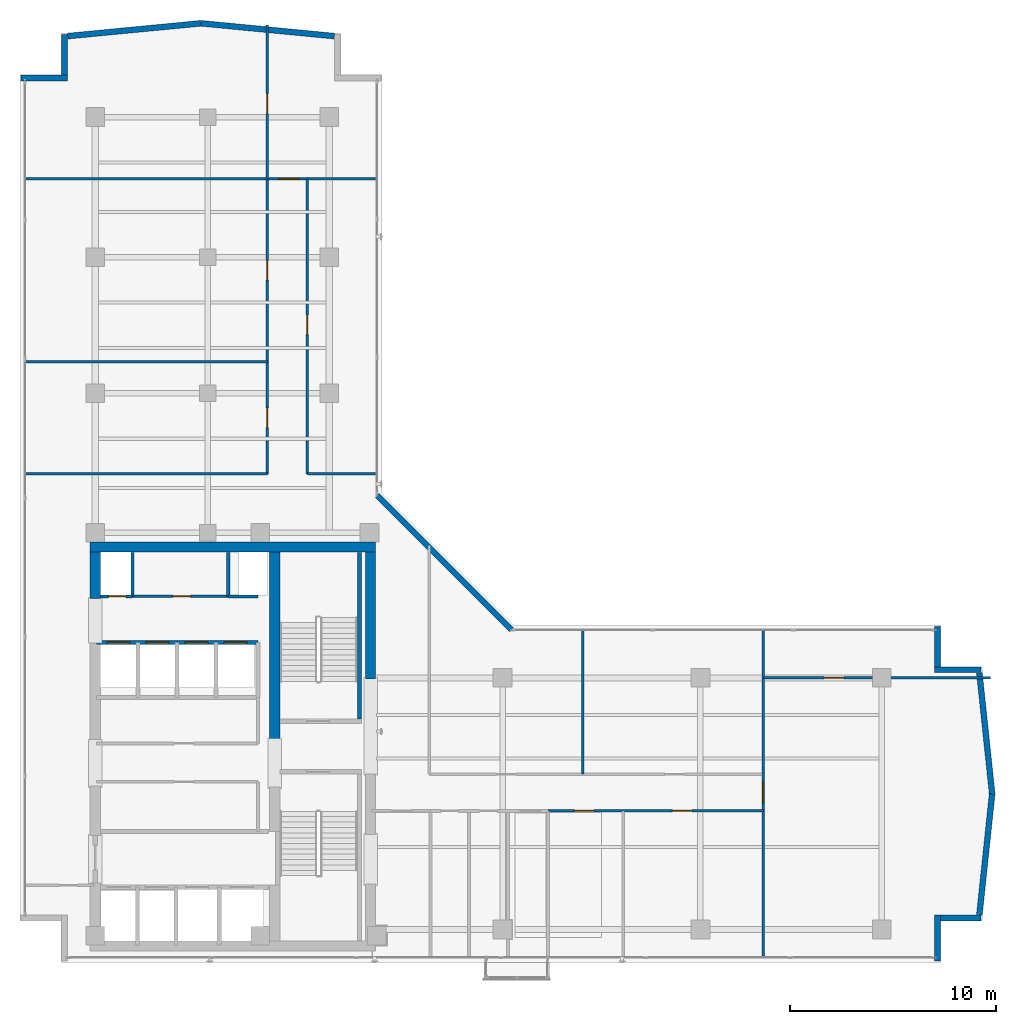
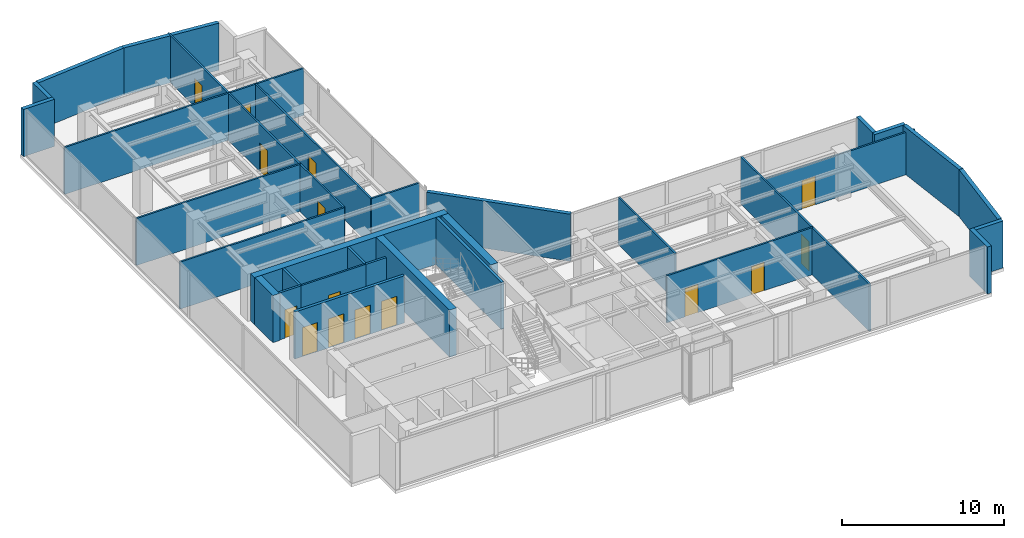
# One storey, part 18 of 22: 33 walls, 15 doors, 15 openings.
"""IFC4 building model written with IfcOpenShell, lengths in metres."""

from ifc_helpers import new_model, si_unit, direction, frame, frame_2d, origin, place, context, subcontext, project, spatial, rectangle, extrude, material, layer, layer_set, type_object, element, fill, save


model = new_model("IFC4")

# Units and contexts
model_context = context("Model", 3, precision=1e-05, world=origin(), true_north=direction((0.0, 1.0)))
body_context = subcontext(model_context, "Body", "Model", "MODEL_VIEW")
ifc_project = project(units=[si_unit("LENGTHUNIT", "METRE"), si_unit("AREAUNIT", "SQUARE_METRE"), si_unit("VOLUMEUNIT", "CUBIC_METRE"), si_unit("PLANEANGLEUNIT", "RADIAN"), si_unit("MASSUNIT", "GRAM", prefix="KILO")], contexts=[model_context])

# Site, building, storey
site_placement = place(None, origin())
site = spatial("IfcSite", under=ifc_project, at=site_placement, CompositionType="ELEMENT")
building_placement = place(site_placement, origin())
building = spatial("IfcBuilding", under=site, at=building_placement, Name="Kolvaren Waterfront Exchange", CompositionType="ELEMENT")
storey_placement = place(building_placement, frame((0.0, 0.0, 278.0)))
storey = spatial("IfcBuildingStorey", under=building, at=storey_placement, Name="L71", CompositionType="ELEMENT", Elevation=278.0)

# Walls
ifc_material_1 = material(Name="Precast concrete C40/50", Category="concrete")
ifc_layer_1 = layer(ifc_material_1, 0.280029296875, Name="Precast concrete C40/50")
ifc_layer_set_1 = layer_set([ifc_layer_1], Name="Precast concrete C40/50")
wall_type_1 = type_object("IfcWallType", Name="ARC-EXT-TERR-280", PredefinedType="SOLIDWALL", material=ifc_layer_set_1)
wall_1_placement = place(storey_placement, frame((48.29248046875, 3.659912109375, 0.0), z_axis=(0.0, 0.0, 1.0), x_axis=(0.0, 1.0, 0.0)))
element("IfcWall", 1, at=wall_1_placement, inside=storey, type_object=wall_type_1, Name="L71 notched corner spandrel pier SE-A", PredefinedType="SOLIDWALL", context=body_context, shape_type="SweptSolid", body=[
    extrude(rectangle(XDim=2.239990234375, YDim=0.280029296875, at=frame_2d((1.1201171875, 0.0))), origin(), (0.0, 0.0, 1.0), 3.56005859375),
])
wall_2_placement = place(storey_placement, frame((48.4326171875, 5.760009765625, 0.0), z_axis=(0.0, 0.0, 1.0), x_axis=(1.0, 0.0, 0.0)))
element("IfcWall", 2, at=wall_2_placement, inside=storey, type_object=wall_type_1, Name="L71 notched corner spandrel pier SE-B", PredefinedType="SOLIDWALL", context=body_context, shape_type="SweptSolid", body=[
    extrude(rectangle(XDim=1.9599609375, YDim=0.280029296875, at=frame_2d((0.97998046875, 0.0))), origin(), (0.0, 0.0, 1.0), 3.56005859375),
])
wall_3_placement = place(storey_placement, frame((48.29248046875, 17.9228515625, 0.0), z_axis=(0.0, 0.0, 1.0), x_axis=(0.0, 1.0, 0.0)))
element("IfcWall", 3, at=wall_3_placement, inside=storey, type_object=wall_type_1, Name="L71 notched corner spandrel pier ENE-A", PredefinedType="SOLIDWALL", context=body_context, shape_type="SweptSolid", body=[
    extrude(rectangle(XDim=1.97509765625, YDim=0.280029296875, at=frame_2d((0.987548828125, 0.0))), origin(), (0.0, 0.0, 1.0), 3.56005859375),
])
for number, where, z_axis, x_axis, name in (
    (4, (48.152587890625, 17.7978515625, 0.0), (0.0, 0.0, 1.0), (1.0, 0.0, 0.0), "L71 notched corner spandrel pier ENE-B"),
    (5, (3.860107421875, 46.49267578125, 0.0), (0.0, 0.0, 1.0), (1.0, 0.0, 0.0), "L71 notched corner spandrel pier NW-A"),
):
    element("IfcWall", number, at=place(storey_placement, frame(where, z_axis=z_axis, x_axis=x_axis)), inside=storey, type_object=wall_type_1, Name=name, PredefinedType="SOLIDWALL", context=body_context, shape_type="SweptSolid", body=[
        extrude(rectangle(XDim=2.239990234375, YDim=0.280029296875, at=frame_2d((1.1201171875, 0.0))), origin(), (0.0, 0.0, 1.0), 3.56005859375),
    ])
wall_4_placement = place(storey_placement, frame((5.9599609375, 46.632568359375, 0.0), z_axis=(0.0, 0.0, 1.0), x_axis=(0.0, 1.0, 0.0)))
element("IfcWall", 6, at=wall_4_placement, inside=storey, type_object=wall_type_1, Name="L71 notched corner spandrel pier NW-B", PredefinedType="SOLIDWALL", context=body_context, shape_type="SweptSolid", body=[
    extrude(rectangle(XDim=1.9599609375, YDim=0.280029296875, at=frame_2d((0.97998046875, 0.0))), origin(), (0.0, 0.0, 1.0), 3.56005859375),
])
wall_5_placement = place(storey_placement, frame((27.642822265625, 19.73291015625, 0.0), z_axis=(0.0, 0.0, 1.0), x_axis=(-0.707106781187, 0.707106781187, 0.0)))
element("IfcWall", 7, at=wall_5_placement, inside=storey, type_object=wall_type_1, Name="L71 notched corner spandrel pier ELBOW", PredefinedType="SOLIDWALL", context=body_context, shape_type="SweptSolid", body=[
    extrude(rectangle(XDim=9.20654296875, YDim=0.280029296875, at=frame_2d((4.603271484375, 0.0))), origin(), (0.0, 0.0, 1.0), 3.56005859375),
])
for number, where, z_axis, x_axis, name in (
    (8, (50.324951171875, 5.9150390625, 0.0), (0.0, 0.0, 1.0), (0.10505567949, 0.994466341415, 0.0), "L71 east prow faceted facade wall 1"),
    (9, (50.944091796875, 11.781982421875, 0.0), (0.0, 0.0, 1.0), (-0.10505567949, 0.994466341415, 0.0), "L71 east prow faceted facade wall 2"),
):
    element("IfcWall", number, at=place(storey_placement, frame(where, z_axis=z_axis, x_axis=x_axis)), inside=storey, type_object=wall_type_1, Name=name, PredefinedType="SOLIDWALL", context=body_context, shape_type="SweptSolid", body=[
        extrude(rectangle(XDim=5.8935546875, YDim=0.280029296875, at=frame_2d((2.94677734375, 0.0))), origin(), (0.0, 0.0, 1.0), 3.56005859375),
    ])
wall_6_placement = place(storey_placement, frame((19.0439453125, 48.522216796875, 0.0), z_axis=(0.0, 0.0, 1.0), x_axis=(-0.99539978927, 0.095808452244, 0.0)))
element("IfcWall", 10, at=wall_6_placement, inside=storey, type_object=wall_type_1, Name="L71 north prow faceted facade wall 1", PredefinedType="SOLIDWALL", context=body_context, shape_type="SweptSolid", body=[
    extrude(rectangle(XDim=6.490234375, YDim=0.280029296875, at=frame_2d((3.2451171875, 0.0))), origin(), (0.0, 0.0, 1.0), 3.56005859375),
])
wall_7_placement = place(storey_placement, frame((12.57421875, 49.14404296875, 0.0), z_axis=(0.0, 0.0, 1.0), x_axis=(-0.995399443962, -0.095812039748, 0.0)))
element("IfcWall", 11, at=wall_7_placement, inside=storey, type_object=wall_type_1, Name="L71 north prow faceted facade wall 2", PredefinedType="SOLIDWALL", context=body_context, shape_type="SweptSolid", body=[
    extrude(rectangle(XDim=6.489990234375, YDim=0.280029296875, at=frame_2d((3.2451171875, 0.0))), origin(), (0.0, 0.0, 1.0), 3.56005859375),
])

# Wall, opening, door
ifc_material_2 = material(Name="Acoustic gypsum steel stud", Category="steel")
ifc_layer_2 = layer(ifc_material_2, 0.125, Name="Acoustic gypsum steel stud")
ifc_layer_set_2 = layer_set([ifc_layer_2], Name="Acoustic gypsum steel stud")
wall_type_2 = type_object("IfcWallType", Name="ARC-PART-125", PredefinedType="PARTITIONING", material=ifc_layer_set_2)
wall_8_placement = place(storey_placement, frame((9.25, 21.35009765625, 0.0), z_axis=(0.0, 0.0, 1.0), x_axis=(1.0, 0.0, 0.0)))
wall_8 = element("IfcWall", 12, at=wall_8_placement, inside=storey, type_object=wall_type_2, Name="L71 interior wall PW-L71-SVC-HI-S", PredefinedType="PARTITIONING", context=body_context, shape_type="SweptSolid", body=[
    extrude(rectangle(XDim=4.64990234375, YDim=0.125, at=frame_2d((2.324951171875, 0.0))), origin(), (0.0, 0.0, 1.0), 3.56005859375),
])
opening_1_placement = place(wall_8_placement, frame((1.971435546875, 0.0, 0.0)))
opening_1 = element("IfcOpeningElement", 13, at=opening_1_placement, cuts=wall_8, Name="Opening D01", PredefinedType="OPENING", context=body_context, shape_type="SweptSolid", body=[
    extrude(rectangle(XDim=0.85009765625, YDim=2.14990234375, at=frame_2d((0.425048828125, 1.074951171875))), frame((0.0, 0.072509765625, 0.0), z_axis=(0.0, -1.0, 0.0), x_axis=(1.0, 0.0, 0.0)), (0.0, 0.0, 1.0), 0.14501953125),
])
ifc_material_3 = material(Name="Oak veneer timber leaf", Category="wood")
door_type_1 = type_object("IfcDoorType", Name="ARC-DR-900", OperationType="NOTDEFINED", PredefinedType="DOOR", material=ifc_material_3)
door_1_placement = place(opening_1_placement, origin())
door_1 = element("IfcDoor", 14, at=door_1_placement, inside=storey, type_object=door_type_1, Name="L71 door DR-L71-SVC-DR-1 (D01)", OperationType="SINGLE_SWING_LEFT", OverallHeight=2.14990234375, OverallWidth=0.85009765625, PredefinedType="DOOR", context=body_context, shape_type="SweptSolid", body=[
    extrude(rectangle(XDim=0.85009765625, YDim=2.14990234375, at=frame_2d((0.425048828125, 1.074951171875))), frame((0.0, 0.02490234375, 0.0), z_axis=(0.0, -1.0, 0.0), x_axis=(1.0, 0.0, 0.0)), (0.0, 0.0, 1.0), 0.050048828125),
])
fill(opening_1, door_1)

# Wall, openings, doors
wall_9_placement = place(storey_placement, frame((29.39990234375, 10.949951171875, 0.0), z_axis=(0.0, 0.0, 1.0), x_axis=(1.0, 0.0, 0.0)))
wall_9 = element("IfcWall", 15, at=wall_9_placement, inside=storey, type_object=wall_type_2, Name="L71 interior wall PW-L71-ES-CORR", PredefinedType="PARTITIONING", context=body_context, shape_type="SweptSolid", body=[
    extrude(rectangle(XDim=10.4501953125, YDim=0.125, at=frame_2d((5.22509765625, 0.0))), origin(), (0.0, 0.0, 1.0), 3.56005859375),
])
opening_2_placement = place(wall_9_placement, frame((1.281494140625, 0.0, 0.0)))
opening_2 = element("IfcOpeningElement", 16, at=opening_2_placement, cuts=wall_9, Name="Opening D02", PredefinedType="OPENING", context=body_context, shape_type="SweptSolid", body=[
    extrude(rectangle(XDim=0.949951171875, YDim=2.14990234375, at=frame_2d((0.47509765625, 1.074951171875))), frame((0.0, 0.072509765625, 0.0), z_axis=(0.0, -1.0, 0.0), x_axis=(1.0, 0.0, 0.0)), (0.0, 0.0, 1.0), 0.14501953125),
])
opening_3_placement = place(wall_9_placement, frame((6.034423828125, 0.0, 0.0)))
opening_3 = element("IfcOpeningElement", 17, at=opening_3_placement, cuts=wall_9, Name="Opening D02", PredefinedType="OPENING", context=body_context, shape_type="SweptSolid", body=[
    extrude(rectangle(XDim=0.949951171875, YDim=2.14990234375, at=frame_2d((0.47509765625, 1.074951171875))), frame((0.0, 0.072509765625, 0.0), z_axis=(0.0, -1.0, 0.0), x_axis=(1.0, 0.0, 0.0)), (0.0, 0.0, 1.0), 0.14501953125),
])
ifc_material_4 = material(Name="Oak veneer acoustic timber", Category="wood")
door_type_2 = type_object("IfcDoorType", Name="ARC-DR-950", OperationType="NOTDEFINED", PredefinedType="DOOR", material=ifc_material_4)
door_2_placement = place(opening_2_placement, origin())
door_2 = element("IfcDoor", 18, at=door_2_placement, inside=storey, type_object=door_type_2, Name="L71 door DR-L71-ES-D-1 (D02)", OperationType="SINGLE_SWING_LEFT", OverallHeight=2.14990234375, OverallWidth=0.949951171875, PredefinedType="DOOR", context=body_context, shape_type="SweptSolid", body=[
    extrude(rectangle(XDim=0.949951171875, YDim=2.14990234375, at=frame_2d((0.47509765625, 1.074951171875))), frame((0.0, 0.02490234375, 0.0), z_axis=(0.0, -1.0, 0.0), x_axis=(1.0, 0.0, 0.0)), (0.0, 0.0, 1.0), 0.050048828125),
])
fill(opening_2, door_2)
door_3_placement = place(opening_3_placement, origin())
door_3 = element("IfcDoor", 19, at=door_3_placement, inside=storey, type_object=door_type_2, Name="L71 door DR-L71-ES-D-2 (D02)", OperationType="SINGLE_SWING_RIGHT", OverallHeight=2.14990234375, OverallWidth=0.949951171875, PredefinedType="DOOR", context=body_context, shape_type="SweptSolid", body=[
    extrude(rectangle(XDim=0.949951171875, YDim=2.14990234375, at=frame_2d((0.47509765625, 1.074951171875))), frame((0.0, 0.02490234375, 0.0), z_axis=(0.0, -1.0, 0.0), x_axis=(1.0, 0.0, 0.0)), (0.0, 0.0, 1.0), 0.050048828125),
])
fill(opening_3, door_3)

# Wall, opening, door
wall_10_placement = place(storey_placement, frame((39.85009765625, 3.840087890625, 0.0), z_axis=(0.0, 0.0, 1.0), x_axis=(0.0, 1.0, 0.0)))
wall_10 = element("IfcWall", 20, at=wall_10_placement, inside=storey, type_object=wall_type_2, Name="L71 interior wall PW-L71-ETIP-W", PredefinedType="PARTITIONING", context=body_context, shape_type="SweptSolid", body=[
    extrude(rectangle(XDim=15.919921875, YDim=0.125, at=frame_2d((7.9599609375, 0.0))), origin(), (0.0, 0.0, 1.0), 3.56005859375),
])
opening_4_placement = place(wall_10_placement, frame((7.5, 0.0, 0.0)))
opening_4 = element("IfcOpeningElement", 21, at=opening_4_placement, cuts=wall_10, Name="Opening D03", PredefinedType="OPENING", context=body_context, shape_type="SweptSolid", body=[
    extrude(rectangle(XDim=1.0, YDim=2.199951171875, at=frame_2d((0.5, 1.10009765625))), frame((0.0, 0.072509765625, 0.0), z_axis=(0.0, -1.0, 0.0), x_axis=(1.0, 0.0, 0.0)), (0.0, 0.0, 1.0), 0.14501953125),
])
ifc_material_5 = material(Name="Oak veneer accessible timber", Category="wood")
door_type_3 = type_object("IfcDoorType", Name="ARC-DR-1000", OperationType="NOTDEFINED", PredefinedType="DOOR", material=ifc_material_5)
door_4_placement = place(opening_4_placement, origin())
door_4 = element("IfcDoor", 22, at=door_4_placement, inside=storey, type_object=door_type_3, Name="L71 door DR-L71-ETIP1-D (D03)", OperationType="SINGLE_SWING_LEFT", OverallHeight=2.199951171875, OverallWidth=1.0, PredefinedType="DOOR", context=body_context, shape_type="SweptSolid", body=[
    extrude(rectangle(XDim=1.0, YDim=2.199951171875, at=frame_2d((0.5, 1.10009765625))), frame((0.0, 0.02490234375, 0.0), z_axis=(0.0, -1.0, 0.0), x_axis=(1.0, 0.0, 0.0)), (0.0, 0.0, 1.0), 0.050048828125),
])
fill(opening_4, door_4)

wall_11_placement = place(storey_placement, frame((39.85009765625, 17.39990234375, 0.0), z_axis=(0.0, 0.0, 1.0), x_axis=(1.0, 0.0, 0.0)))
wall_11 = element("IfcWall", 23, at=wall_11_placement, inside=storey, type_object=wall_type_2, Name="L71 interior wall PW-L71-ETIP-MID", PredefinedType="PARTITIONING", context=body_context, shape_type="SweptSolid", body=[
    extrude(rectangle(XDim=11.01513671875, YDim=0.125, at=frame_2d((5.507568359375, 0.0))), origin(), (0.0, 0.0, 1.0), 3.199951171875),
])
opening_5_placement = place(wall_11_placement, frame((2.949951171875, 0.0, 0.0)))
opening_5 = element("IfcOpeningElement", 24, at=opening_5_placement, cuts=wall_11, Name="Opening D02", PredefinedType="OPENING", context=body_context, shape_type="SweptSolid", body=[
    extrude(rectangle(XDim=0.949951171875, YDim=2.14990234375, at=frame_2d((0.47509765625, 1.074951171875))), frame((0.0, 0.072509765625, 0.0), z_axis=(0.0, -1.0, 0.0), x_axis=(1.0, 0.0, 0.0)), (0.0, 0.0, 1.0), 0.14501953125),
])
door_5_placement = place(opening_5_placement, origin())
door_5 = element("IfcDoor", 25, at=door_5_placement, inside=storey, type_object=door_type_2, Name="L71 door DR-L71-ETIP2-D (D02)", OperationType="SINGLE_SWING_RIGHT", OverallHeight=2.14990234375, OverallWidth=0.949951171875, PredefinedType="DOOR", context=body_context, shape_type="SweptSolid", body=[
    extrude(rectangle(XDim=0.949951171875, YDim=2.14990234375, at=frame_2d((0.47509765625, 1.074951171875))), frame((0.0, 0.02490234375, 0.0), z_axis=(0.0, -1.0, 0.0), x_axis=(1.0, 0.0, 0.0)), (0.0, 0.0, 1.0), 0.050048828125),
])
fill(opening_5, door_5)

# Walls
wall_12_placement = place(storey_placement, frame((31.10009765625, 12.72998046875, 0.0), z_axis=(0.0, 0.0, 1.0), x_axis=(0.0, 1.0, 0.0)))
element("IfcWall", 26, at=wall_12_placement, inside=storey, type_object=wall_type_2, Name="L71 interior wall PW-L71-EN-DIV-1", PredefinedType="PARTITIONING", context=body_context, shape_type="SweptSolid", body=[
    extrude(rectangle(XDim=7.030029296875, YDim=0.125, at=frame_2d((3.51513671875, 0.0))), origin(), (0.0, 0.0, 1.0), 3.56005859375),
])
wall_13_placement = place(storey_placement, frame((4.0400390625, 27.300048828125, 0.0), z_axis=(0.0, 0.0, 1.0), x_axis=(1.0, 0.0, 0.0)))
element("IfcWall", 27, at=wall_13_placement, inside=storey, type_object=wall_type_2, Name="L71 interior wall PW-L71-NW-S0", PredefinedType="PARTITIONING", context=body_context, shape_type="SweptSolid", body=[
    extrude(rectangle(XDim=11.760009765625, YDim=0.125, at=frame_2d((5.8798828125, 0.0))), origin(), (0.0, 0.0, 1.0), 3.56005859375),
])

# Wall, openings, doors
wall_14_placement = place(storey_placement, frame((15.800048828125, 27.300048828125, 0.0), z_axis=(0.0, 0.0, 1.0), x_axis=(0.0, 1.0, 0.0)))
wall_14 = element("IfcWall", 28, at=wall_14_placement, inside=storey, type_object=wall_type_2, Name="L71 interior wall PW-L71-NW-CORR", PredefinedType="PARTITIONING", context=body_context, shape_type="SweptSolid", body=[
    extrude(rectangle(XDim=14.300048828125, YDim=0.125, at=frame_2d((7.14990234375, 0.0))), origin(), (0.0, 0.0, 1.0), 3.56005859375),
])
opening_6_placement = place(wall_14_placement, frame((2.239990234375, 0.0, 0.0)))
opening_6 = element("IfcOpeningElement", 29, at=opening_6_placement, cuts=wall_14, Name="Opening D02", PredefinedType="OPENING", context=body_context, shape_type="SweptSolid", body=[
    extrude(rectangle(XDim=0.949951171875, YDim=2.14990234375, at=frame_2d((0.47509765625, 1.074951171875))), frame((0.0, 0.072509765625, 0.0), z_axis=(0.0, -1.0, 0.0), x_axis=(1.0, 0.0, 0.0)), (0.0, 0.0, 1.0), 0.14501953125),
])
opening_7_placement = place(wall_14_placement, frame((9.389892578125, 0.0, 0.0)))
opening_7 = element("IfcOpeningElement", 30, at=opening_7_placement, cuts=wall_14, Name="Opening D02", PredefinedType="OPENING", context=body_context, shape_type="SweptSolid", body=[
    extrude(rectangle(XDim=0.949951171875, YDim=2.14990234375, at=frame_2d((0.47509765625, 1.074951171875))), frame((0.0, 0.072509765625, 0.0), z_axis=(0.0, -1.0, 0.0), x_axis=(1.0, 0.0, 0.0)), (0.0, 0.0, 1.0), 0.14501953125),
])
door_6_placement = place(opening_6_placement, origin())
door_6 = element("IfcDoor", 31, at=door_6_placement, inside=storey, type_object=door_type_2, Name="L71 door DR-L71-NW-D-1 (D02)", OperationType="SINGLE_SWING_LEFT", OverallHeight=2.14990234375, OverallWidth=0.949951171875, PredefinedType="DOOR", context=body_context, shape_type="SweptSolid", body=[
    extrude(rectangle(XDim=0.949951171875, YDim=2.14990234375, at=frame_2d((0.47509765625, 1.074951171875))), frame((0.0, 0.02490234375, 0.0), z_axis=(0.0, -1.0, 0.0), x_axis=(1.0, 0.0, 0.0)), (0.0, 0.0, 1.0), 0.050048828125),
])
fill(opening_6, door_6)
door_7_placement = place(opening_7_placement, origin())
door_7 = element("IfcDoor", 32, at=door_7_placement, inside=storey, type_object=door_type_2, Name="L71 door DR-L71-NW-D-2 (D02)", OperationType="SINGLE_SWING_RIGHT", OverallHeight=2.14990234375, OverallWidth=0.949951171875, PredefinedType="DOOR", context=body_context, shape_type="SweptSolid", body=[
    extrude(rectangle(XDim=0.949951171875, YDim=2.14990234375, at=frame_2d((0.47509765625, 1.074951171875))), frame((0.0, 0.02490234375, 0.0), z_axis=(0.0, -1.0, 0.0), x_axis=(1.0, 0.0, 0.0)), (0.0, 0.0, 1.0), 0.050048828125),
])
fill(opening_7, door_7)

# Wall
wall_15_placement = place(storey_placement, frame((4.0400390625, 32.72998046875, 0.0), z_axis=(0.0, 0.0, 1.0), x_axis=(1.0, 0.0, 0.0)))
element("IfcWall", 33, at=wall_15_placement, inside=storey, type_object=wall_type_2, Name="L71 interior wall PW-L71-NW-DIV-1", PredefinedType="PARTITIONING", context=body_context, shape_type="SweptSolid", body=[
    extrude(rectangle(XDim=11.760009765625, YDim=0.125, at=frame_2d((5.8798828125, 0.0))), origin(), (0.0, 0.0, 1.0), 3.56005859375),
])

# Wall, opening, door
wall_16_placement = place(storey_placement, frame((4.0400390625, 41.60009765625, 0.0), z_axis=(0.0, 0.0, 1.0), x_axis=(1.0, 0.0, 0.0)))
wall_16 = element("IfcWall", 34, at=wall_16_placement, inside=storey, type_object=wall_type_2, Name="L71 interior wall PW-L71-NTIP-S", PredefinedType="PARTITIONING", context=body_context, shape_type="SweptSolid", body=[
    extrude(rectangle(XDim=17.119873046875, YDim=0.125, at=frame_2d((8.56005859375, 0.0))), origin(), (0.0, 0.0, 1.0), 3.56005859375),
])
opening_8_placement = place(wall_16_placement, frame((12.300048828125, 0.0, 0.0)))
opening_8 = element("IfcOpeningElement", 35, at=opening_8_placement, cuts=wall_16, Name="Opening D03", PredefinedType="OPENING", context=body_context, shape_type="SweptSolid", body=[
    extrude(rectangle(XDim=1.0, YDim=2.199951171875, at=frame_2d((0.5, 1.10009765625))), frame((0.0, 0.072509765625, 0.0), z_axis=(0.0, -1.0, 0.0), x_axis=(1.0, 0.0, 0.0)), (0.0, 0.0, 1.0), 0.14501953125),
])
door_8_placement = place(opening_8_placement, origin())
door_8 = element("IfcDoor", 36, at=door_8_placement, inside=storey, type_object=door_type_3, Name="L71 door DR-L71-NTIPE-D (D03)", OperationType="SINGLE_SWING_LEFT", OverallHeight=2.199951171875, OverallWidth=1.0, PredefinedType="DOOR", context=body_context, shape_type="SweptSolid", body=[
    extrude(rectangle(XDim=1.0, YDim=2.199951171875, at=frame_2d((0.5, 1.10009765625))), frame((0.0, 0.02490234375, 0.0), z_axis=(0.0, -1.0, 0.0), x_axis=(1.0, 0.0, 0.0)), (0.0, 0.0, 1.0), 0.050048828125),
])
fill(opening_8, door_8)

wall_17_placement = place(storey_placement, frame((15.800048828125, 41.60009765625, 0.0), z_axis=(0.0, 0.0, 1.0), x_axis=(0.0, 1.0, 0.0)))
wall_17 = element("IfcWall", 37, at=wall_17_placement, inside=storey, type_object=wall_type_2, Name="L71 interior wall PW-L71-NTIP-DIV", PredefinedType="PARTITIONING", context=body_context, shape_type="SweptSolid", body=[
    extrude(rectangle(XDim=7.465087890625, YDim=0.125, at=frame_2d((3.732421875, 0.0))), origin(), (0.0, 0.0, 1.0), 3.56005859375),
])
opening_9_placement = place(wall_17_placement, frame((3.182373046875, 0.0, 0.0)))
opening_9 = element("IfcOpeningElement", 38, at=opening_9_placement, cuts=wall_17, Name="Opening D02", PredefinedType="OPENING", context=body_context, shape_type="SweptSolid", body=[
    extrude(rectangle(XDim=0.949951171875, YDim=2.14990234375, at=frame_2d((0.47509765625, 1.074951171875))), frame((0.0, 0.072509765625, 0.0), z_axis=(0.0, -1.0, 0.0), x_axis=(1.0, 0.0, 0.0)), (0.0, 0.0, 1.0), 0.14501953125),
])
door_9_placement = place(opening_9_placement, origin())
door_9 = element("IfcDoor", 39, at=door_9_placement, inside=storey, type_object=door_type_2, Name="L71 door DR-L71-NTIPW-D (D02)", OperationType="SINGLE_SWING_RIGHT", OverallHeight=2.14990234375, OverallWidth=0.949951171875, PredefinedType="DOOR", context=body_context, shape_type="SweptSolid", body=[
    extrude(rectangle(XDim=0.949951171875, YDim=2.14990234375, at=frame_2d((0.47509765625, 1.074951171875))), frame((0.0, 0.02490234375, 0.0), z_axis=(0.0, -1.0, 0.0), x_axis=(1.0, 0.0, 0.0)), (0.0, 0.0, 1.0), 0.050048828125),
])
fill(opening_9, door_9)

# Wall
wall_18_placement = place(storey_placement, frame((17.739990234375, 27.300048828125, 0.0), z_axis=(0.0, 0.0, 1.0), x_axis=(1.0, 0.0, 0.0)))
element("IfcWall", 40, at=wall_18_placement, inside=storey, type_object=wall_type_2, Name="L71 interior wall PW-L71-NE-S0", PredefinedType="PARTITIONING", context=body_context, shape_type="SweptSolid", body=[
    extrude(rectangle(XDim=3.419921875, YDim=0.125, at=frame_2d((1.7099609375, 0.0))), origin(), (0.0, 0.0, 1.0), 3.56005859375),
])

# Wall, opening, door
wall_19_placement = place(storey_placement, frame((17.739990234375, 27.300048828125, 0.0), z_axis=(0.0, 0.0, 1.0), x_axis=(0.0, 1.0, 0.0)))
wall_19 = element("IfcWall", 41, at=wall_19_placement, inside=storey, type_object=wall_type_2, Name="L71 interior wall PW-L71-NE-CORR", PredefinedType="PARTITIONING", context=body_context, shape_type="SweptSolid", body=[
    extrude(rectangle(XDim=14.300048828125, YDim=0.125, at=frame_2d((7.14990234375, 0.0))), origin(), (0.0, 0.0, 1.0), 3.56005859375),
])
opening_10_placement = place(wall_19_placement, frame((6.74560546875, 0.0, 0.0)))
opening_10 = element("IfcOpeningElement", 42, at=opening_10_placement, cuts=wall_19, Name="Opening D02", PredefinedType="OPENING", context=body_context, shape_type="SweptSolid", body=[
    extrude(rectangle(XDim=0.949951171875, YDim=2.14990234375, at=frame_2d((0.47509765625, 1.074951171875))), frame((0.0, 0.072509765625, 0.0), z_axis=(0.0, -1.0, 0.0), x_axis=(1.0, 0.0, 0.0)), (0.0, 0.0, 1.0), 0.14501953125),
])
door_10_placement = place(opening_10_placement, origin())
door_10 = element("IfcDoor", 43, at=door_10_placement, inside=storey, type_object=door_type_2, Name="L71 door DR-L71-NE-D-1 (D02)", OperationType="SINGLE_SWING_LEFT", OverallHeight=2.14990234375, OverallWidth=0.949951171875, PredefinedType="DOOR", context=body_context, shape_type="SweptSolid", body=[
    extrude(rectangle(XDim=0.949951171875, YDim=2.14990234375, at=frame_2d((0.47509765625, 1.074951171875))), frame((0.0, 0.02490234375, 0.0), z_axis=(0.0, -1.0, 0.0), x_axis=(1.0, 0.0, 0.0)), (0.0, 0.0, 1.0), 0.050048828125),
])
fill(opening_10, door_10)

# Walls
ifc_material_6 = material(Name="Gypsum fireboard steel stud", Category="steel")
ifc_layer_3 = layer(ifc_material_6, 0.14990234375, Name="Gypsum fireboard steel stud")
ifc_layer_set_3 = layer_set([ifc_layer_3], Name="Gypsum fireboard steel stud")
wall_type_3 = type_object("IfcWallType", Name="ARC-PART-150", PredefinedType="PARTITIONING", material=ifc_layer_set_3)
for number, where, z_axis, x_axis, name in (
    (44, (9.25, 21.35009765625, 0.0), (0.0, 0.0, 1.0), (0.0, 1.0, 0.0), "L71 interior wall PW-L71-SVC-R1"),
    (45, (13.89990234375, 21.35009765625, 0.0), (0.0, 0.0, 1.0), (0.0, 1.0, 0.0), "L71 interior wall PW-L71-SVC-R2"),
):
    element("IfcWall", number, at=place(storey_placement, frame(where, z_axis=z_axis, x_axis=x_axis)), inside=storey, type_object=wall_type_3, Name=name, PredefinedType="PARTITIONING", context=body_context, shape_type="SweptSolid", body=[
        extrude(rectangle(XDim=2.1298828125, YDim=0.14990234375, at=frame_2d((1.06494140625, 0.0))), origin(), (0.0, 0.0, 1.0), 3.56005859375),
    ])

# Wall, opening, door
wall_20_placement = place(storey_placement, frame((7.699951171875, 21.35009765625, 0.0), z_axis=(0.0, 0.0, 1.0), x_axis=(1.0, 0.0, 0.0)))
wall_20 = element("IfcWall", 46, at=wall_20_placement, inside=storey, type_object=wall_type_3, Name="L71 interior wall PW-L71-SVC-RE-S", PredefinedType="PARTITIONING", context=body_context, shape_type="SweptSolid", body=[
    extrude(rectangle(XDim=1.550048828125, YDim=0.14990234375, at=frame_2d((0.77490234375, 0.0))), origin(), (0.0, 0.0, 1.0), 3.56005859375),
])
opening_11_placement = place(wall_20_placement, frame((0.389892578125, 0.0, 0.0)))
opening_11 = element("IfcOpeningElement", 47, at=opening_11_placement, cuts=wall_20, Name="Opening FD1", PredefinedType="OPENING", context=body_context, shape_type="SweptSolid", body=[
    extrude(rectangle(XDim=0.85009765625, YDim=2.14990234375, at=frame_2d((0.425048828125, 1.074951171875))), frame((0.0, 0.0849609375, 0.0), z_axis=(0.0, -1.0, 0.0), x_axis=(1.0, 0.0, 0.0)), (0.0, 0.0, 1.0), 0.169921875),
])
ifc_material_7 = material(Name="Pressed steel fire leaf", Category="steel")
door_type_4 = type_object("IfcDoorType", Name="ARC-FD-900", OperationType="NOTDEFINED", PredefinedType="DOOR", material=ifc_material_7)
door_11_placement = place(opening_11_placement, origin())
door_11 = element("IfcDoor", 48, at=door_11_placement, inside=storey, type_object=door_type_4, Name="L71 door DR-L71-RISER-E-DR (FD1)", OperationType="SINGLE_SWING_RIGHT", OverallHeight=2.14990234375, OverallWidth=0.85009765625, PredefinedType="DOOR", context=body_context, shape_type="SweptSolid", body=[
    extrude(rectangle(XDim=0.85009765625, YDim=2.14990234375, at=frame_2d((0.425048828125, 1.074951171875))), frame((0.0, 0.02490234375, 0.0), z_axis=(0.0, -1.0, 0.0), x_axis=(1.0, 0.0, 0.0)), (0.0, 0.0, 1.0), 0.050048828125),
])
fill(opening_11, door_11)

# Walls
wall_21_placement = place(storey_placement, frame((13.89990234375, 21.35009765625, 0.0), z_axis=(0.0, 0.0, 1.0), x_axis=(1.0, 0.0, 0.0)))
element("IfcWall", 49, at=wall_21_placement, inside=storey, type_object=wall_type_3, Name="L71 interior wall PW-L71-SVC-RP-S", PredefinedType="PARTITIONING", context=body_context, shape_type="SweptSolid", body=[
    extrude(rectangle(XDim=1.4501953125, YDim=0.14990234375, at=frame_2d((0.72509765625, 0.0))), origin(), (0.0, 0.0, 1.0), 3.56005859375),
])
ifc_material_8 = material(Name="Concrete C40/50", Category="concrete")
ifc_layer_4 = layer(ifc_material_8, 0.199951171875, Name="Concrete C40/50")
ifc_layer_set_4 = layer_set([ifc_layer_4], Name="Concrete C40/50")
wall_type_4 = type_object("IfcWallType", Name="ARC-SHAFT-200", PredefinedType="PARTITIONING", material=ifc_layer_set_4)
wall_22_placement = place(storey_placement, frame((20.260009765625, 15.39990234375, 0.0), z_axis=(0.0, 0.0, 1.0), x_axis=(0.0, 1.0, 0.0)))
element("IfcWall", 50, at=wall_22_placement, inside=storey, type_object=wall_type_4, Name="L71 structural stairwell wall PW-L71-ST2-E", PredefinedType="SHEAR", context=body_context, shape_type="SweptSolid", body=[
    extrude(rectangle(XDim=8.090087890625, YDim=0.199951171875, at=frame_2d((4.044921875, 0.0))), origin(), (0.0, 0.0, 1.0), 3.56005859375),
])

# Wall, openings, doors
wall_23_placement = place(storey_placement, frame((7.5, 19.1201171875, 0.0), z_axis=(0.0, 0.0, 1.0), x_axis=(1.0, 0.0, 0.0)))
wall_23 = element("IfcWall", 51, at=wall_23_placement, inside=storey, type_object=wall_type_4, Name="L71 interior wall PW-L71-PH-N", PredefinedType="PARTITIONING", context=body_context, shape_type="SweptSolid", body=[
    extrude(rectangle(XDim=7.85009765625, YDim=0.199951171875, at=frame_2d((3.925048828125, 0.0))), origin(), (0.0, 0.0, 1.0), 3.56005859375),
])
opening_12_placement = place(wall_23_placement, frame((0.530029296875, 0.0, 0.0)))
opening_12 = element("IfcOpeningElement", 52, at=opening_12_placement, cuts=wall_23, Name="Opening LD2", PredefinedType="OPENING", context=body_context, shape_type="SweptSolid", body=[
    extrude(rectangle(XDim=1.10009765625, YDim=2.199951171875, at=frame_2d((0.550048828125, 1.10009765625))), frame((0.0, 0.10986328125, 0.0), z_axis=(0.0, -1.0, 0.0), x_axis=(1.0, 0.0, 0.0)), (0.0, 0.0, 1.0), 0.219970703125),
])
opening_13_placement = place(wall_23_placement, frame((2.419921875, 0.0, 0.0)))
opening_13 = element("IfcOpeningElement", 53, at=opening_13_placement, cuts=wall_23, Name="Opening LD2", PredefinedType="OPENING", context=body_context, shape_type="SweptSolid", body=[
    extrude(rectangle(XDim=1.10009765625, YDim=2.199951171875, at=frame_2d((0.550048828125, 1.10009765625))), frame((0.0, 0.10986328125, 0.0), z_axis=(0.0, -1.0, 0.0), x_axis=(1.0, 0.0, 0.0)), (0.0, 0.0, 1.0), 0.219970703125),
])
opening_14_placement = place(wall_23_placement, frame((4.31005859375, 0.0, 0.0)))
opening_14 = element("IfcOpeningElement", 54, at=opening_14_placement, cuts=wall_23, Name="Opening LD2", PredefinedType="OPENING", context=body_context, shape_type="SweptSolid", body=[
    extrude(rectangle(XDim=1.10009765625, YDim=2.199951171875, at=frame_2d((0.550048828125, 1.10009765625))), frame((0.0, 0.10986328125, 0.0), z_axis=(0.0, -1.0, 0.0), x_axis=(1.0, 0.0, 0.0)), (0.0, 0.0, 1.0), 0.219970703125),
])
opening_15_placement = place(wall_23_placement, frame((6.199951171875, 0.0, 0.0)))
opening_15 = element("IfcOpeningElement", 55, at=opening_15_placement, cuts=wall_23, Name="Opening LD2", PredefinedType="OPENING", context=body_context, shape_type="SweptSolid", body=[
    extrude(rectangle(XDim=1.10009765625, YDim=2.199951171875, at=frame_2d((0.550048828125, 1.10009765625))), frame((0.0, 0.10986328125, 0.0), z_axis=(0.0, -1.0, 0.0), x_axis=(1.0, 0.0, 0.0)), (0.0, 0.0, 1.0), 0.219970703125),
])
ifc_material_9 = material(Name="Brushed bronze sliding landing door", Category="aluminium")
door_type_5 = type_object("IfcDoorType", Name="ARC-LD-PAX", OperationType="SLIDING_TO_LEFT", PredefinedType="DOOR", material=ifc_material_9)
door_12_placement = place(opening_12_placement, origin())
door_12 = element("IfcDoor", 56, at=door_12_placement, inside=storey, type_object=door_type_5, Name="L71 door LD-L71-PH1 (LD2)", OperationType="SLIDING_TO_LEFT", OverallHeight=2.199951171875, OverallWidth=1.10009765625, PredefinedType="DOOR", context=body_context, shape_type="SweptSolid", body=[
    extrude(rectangle(XDim=1.10009765625, YDim=2.199951171875, at=frame_2d((0.550048828125, 1.10009765625))), frame((0.0, 0.02490234375, 0.0), z_axis=(0.0, -1.0, 0.0), x_axis=(1.0, 0.0, 0.0)), (0.0, 0.0, 1.0), 0.050048828125),
])
fill(opening_12, door_12)
door_13_placement = place(opening_13_placement, origin())
door_13 = element("IfcDoor", 57, at=door_13_placement, inside=storey, type_object=door_type_5, Name="L71 door LD-L71-PH2 (LD2)", OperationType="SLIDING_TO_LEFT", OverallHeight=2.199951171875, OverallWidth=1.10009765625, PredefinedType="DOOR", context=body_context, shape_type="SweptSolid", body=[
    extrude(rectangle(XDim=1.10009765625, YDim=2.199951171875, at=frame_2d((0.550048828125, 1.10009765625))), frame((0.0, 0.02490234375, 0.0), z_axis=(0.0, -1.0, 0.0), x_axis=(1.0, 0.0, 0.0)), (0.0, 0.0, 1.0), 0.050048828125),
])
fill(opening_13, door_13)
door_14_placement = place(opening_14_placement, origin())
door_14 = element("IfcDoor", 58, at=door_14_placement, inside=storey, type_object=door_type_5, Name="L71 door LD-L71-PH3 (LD2)", OperationType="SLIDING_TO_LEFT", OverallHeight=2.199951171875, OverallWidth=1.10009765625, PredefinedType="DOOR", context=body_context, shape_type="SweptSolid", body=[
    extrude(rectangle(XDim=1.10009765625, YDim=2.199951171875, at=frame_2d((0.550048828125, 1.10009765625))), frame((0.0, 0.02490234375, 0.0), z_axis=(0.0, -1.0, 0.0), x_axis=(1.0, 0.0, 0.0)), (0.0, 0.0, 1.0), 0.050048828125),
])
fill(opening_14, door_14)
door_15_placement = place(opening_15_placement, origin())
door_15 = element("IfcDoor", 59, at=door_15_placement, inside=storey, type_object=door_type_5, Name="L71 door LD-L71-PH4 (LD2)", OperationType="SLIDING_TO_LEFT", OverallHeight=2.199951171875, OverallWidth=1.10009765625, PredefinedType="DOOR", context=body_context, shape_type="SweptSolid", body=[
    extrude(rectangle(XDim=1.10009765625, YDim=2.199951171875, at=frame_2d((0.550048828125, 1.10009765625))), frame((0.0, 0.02490234375, 0.0), z_axis=(0.0, -1.0, 0.0), x_axis=(1.0, 0.0, 0.0)), (0.0, 0.0, 1.0), 0.050048828125),
])
fill(opening_15, door_15)

# Walls
ifc_material_10 = material(Name="Concrete C50/60", Category="concrete")
ifc_layer_5 = layer(ifc_material_10, 0.5, Name="Concrete C50/60")
ifc_layer_set_5 = layer_set([ifc_layer_5], Name="Concrete C50/60")
wall_type_5 = type_object("IfcWallType", Name="STR-CWALL-500", PredefinedType="SHEAR", material=ifc_layer_set_5)
wall_24_placement = place(storey_placement, frame((7.199951171875, 23.75, 0.0), z_axis=(0.0, 0.0, 1.0), x_axis=(1.0, 0.0, 0.0)))
element("IfcWall", 60, at=wall_24_placement, inside=storey, type_object=wall_type_5, Name="L71 rear-core shear wall N", PredefinedType="SHEAR", context=body_context, shape_type="SweptSolid", body=[
    extrude(rectangle(XDim=13.85009765625, YDim=0.5, at=frame_2d((6.925048828125, 0.0))), origin(), (0.0, 0.0, 1.0), 3.56005859375),
])
wall_25_placement = place(storey_placement, frame((7.449951171875, 21.239990234375, 0.0), z_axis=(0.0, 0.0, 1.0), x_axis=(0.0, 1.0, 0.0)))
element("IfcWall", 61, at=wall_25_placement, inside=storey, type_object=wall_type_5, Name="L71 rear-core shear wall W3", PredefinedType="SHEAR", context=body_context, shape_type="SweptSolid", body=[
    extrude(rectangle(XDim=2.260009765625, YDim=0.5, at=frame_2d((1.1298828125, 0.0))), origin(), (0.0, 0.0, 1.0), 3.56005859375),
])
wall_26_placement = place(storey_placement, frame((20.800048828125, 17.35009765625, 0.0), z_axis=(0.0, 0.0, 1.0), x_axis=(0.0, 1.0, 0.0)))
element("IfcWall", 62, at=wall_26_placement, inside=storey, type_object=wall_type_5, Name="L71 rear-core shear wall E3", PredefinedType="SHEAR", context=body_context, shape_type="SweptSolid", body=[
    extrude(rectangle(XDim=6.14990234375, YDim=0.5, at=frame_2d((3.074951171875, 0.0))), origin(), (0.0, 0.0, 1.0), 3.56005859375),
])
wall_27_placement = place(storey_placement, frame((16.14990234375, 14.39990234375, 0.0), z_axis=(0.0, 0.0, 1.0), x_axis=(0.0, 1.0, 0.0)))
element("IfcWall", 63, at=wall_27_placement, inside=storey, type_object=wall_type_5, Name="L71 rear-core shear wall M3", PredefinedType="SHEAR", context=body_context, shape_type="SweptSolid", body=[
    extrude(rectangle(XDim=9.10009765625, YDim=0.5, at=frame_2d((4.550048828125, 0.0))), origin(), (0.0, 0.0, 1.0), 3.56005859375),
])

save(model, "model.ifc")
